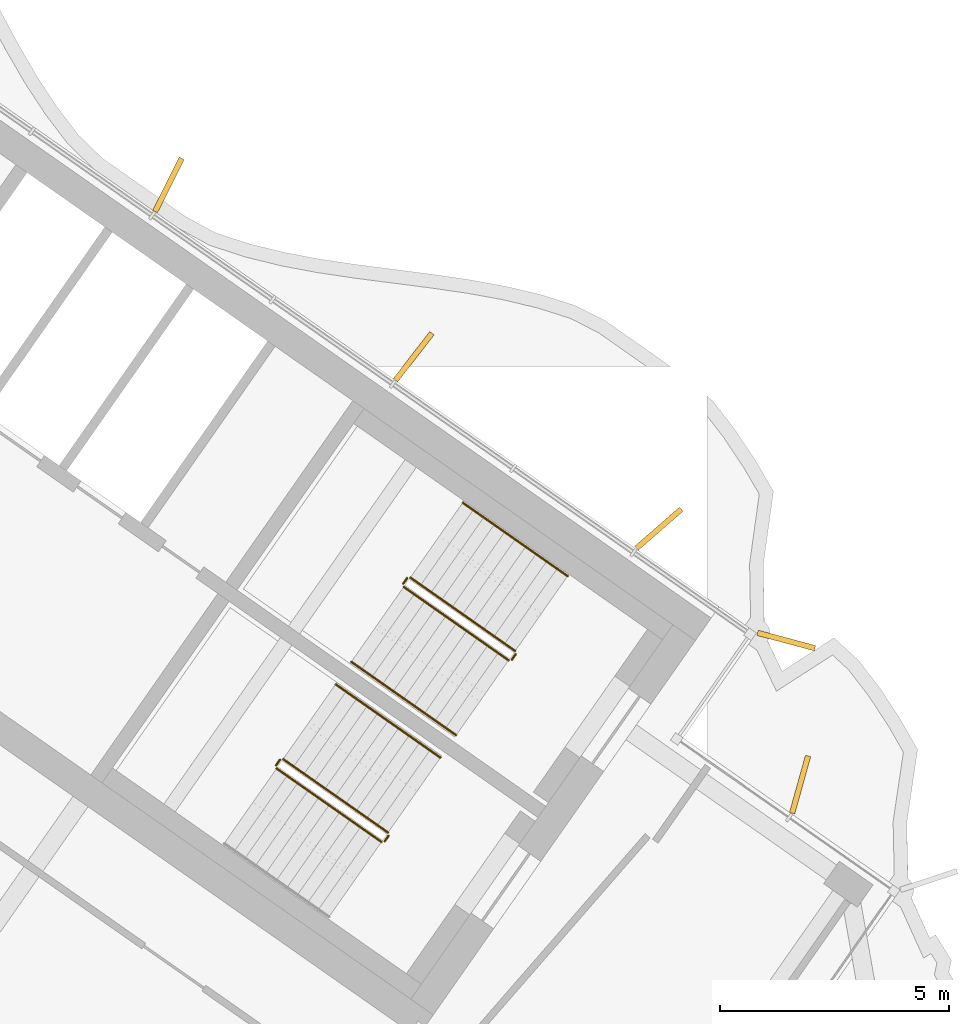
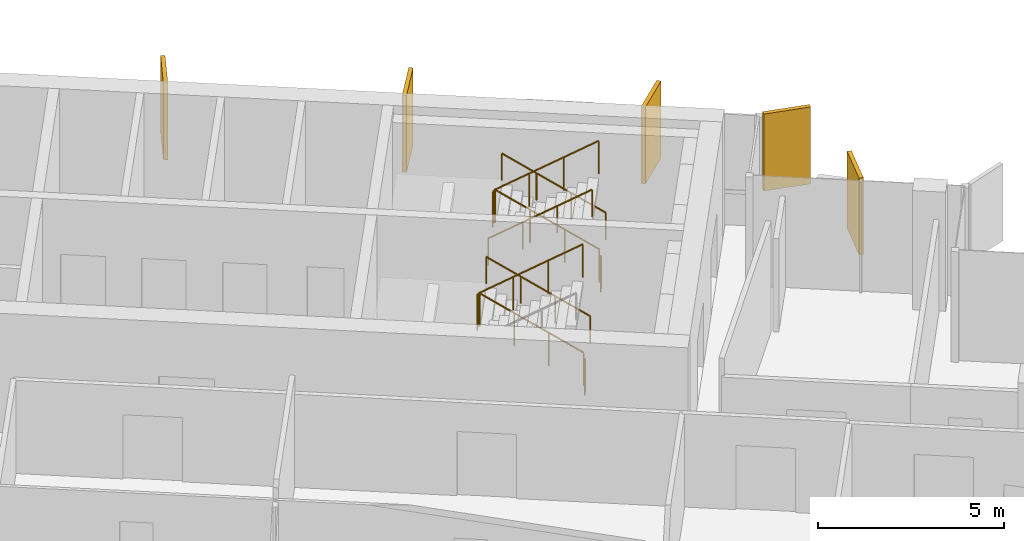
# One storey, part 19 of 20: 11 railings, 5 shading devices.
"""IFC4 building model written with IfcOpenShell, lengths in metres."""

from ifc_helpers import new_model, si_unit, direction, frame, origin, origin_2d, place, context, subcontext, project, spatial, rectangle, circle, extrude, material, layer, layer_set, type_object, element, save


model = new_model("IFC4")

# Units and contexts
model_context = context("Model", 3, precision=1e-05, world=origin(), true_north=direction((0.0, 1.0)))
body_context = subcontext(model_context, "Body", "Model", "MODEL_VIEW")
ifc_project = project(units=[si_unit("LENGTHUNIT", "METRE"), si_unit("AREAUNIT", "SQUARE_METRE"), si_unit("VOLUMEUNIT", "CUBIC_METRE"), si_unit("PLANEANGLEUNIT", "RADIAN"), si_unit("MASSUNIT", "GRAM", prefix="KILO")], contexts=[model_context])

# Site, building, storey
site_placement = place(None, origin())
site = spatial("IfcSite", under=ifc_project, at=site_placement, CompositionType="ELEMENT")
building_placement = place(site_placement, origin())
building = spatial("IfcBuilding", under=site, at=building_placement, Name="Tel Ilan Convention Tower", CompositionType="ELEMENT")
storey_placement = place(building_placement, frame((0.0, 0.0, 229.300048828125)))
storey = spatial("IfcBuildingStorey", under=building, at=storey_placement, Name="L53", CompositionType="ELEMENT", Elevation=229.300048828125)

# Shading devices
ifc_material_1 = material(Name="Aluminium, bronze anodised", Category="aluminium")
ifc_layer = layer(ifc_material_1, 0.1201171875)
ifc_layer_set = layer_set([ifc_layer], Name="FIN BRONZE 1300x120")
shading_device_type = type_object("IfcShadingDeviceType", Name="FIN BRONZE 1300x120", PredefinedType="USERDEFINED", material=ifc_layer_set)
for number, where, z_axis, x_axis, name in (
    (1, (29.611083984375, -7.623046875, 1.099853515625), (0.0, 0.0, 1.0), (0.965925826289, -0.258819045103, 0.0), "FIN"),
    (2, (26.823974609375, -5.177001953125, 1.099853515625), (0.0, 0.0, 1.0), (0.753435896329, 0.657521368568, 0.0), "FIN"),
    (3, (21.46044921875, -1.4130859375, 1.099853515625), (0.0, 0.0, 1.0), (0.612600545196, 0.790392669516, 0.0), "FIN"),
    (4, (16.092041015625, 2.345458984375, 1.099853515625), (0.0, 0.0, 1.0), (0.448799180206, 0.893632640321, 0.0), "FIN"),
    (5, (29.913818359375, -10.77392578125, 1.099853515625), (0.0, 0.0, 1.0), (0.268172612768, 0.963370878614, 0.0), "FIN"),
):
    element("IfcShadingDevice", number, at=place(storey_placement, frame(where, z_axis=z_axis, x_axis=x_axis)), inside=storey, type_object=shading_device_type, Name=name, ObjectType="FIN", PredefinedType="USERDEFINED", context=body_context, shape_type="SweptSolid", body=[
        extrude(rectangle(XDim=1.300048828125, YDim=0.1201171875, at=origin_2d()), origin(), (0.0, 0.0, 1.0), 2.52001953125),
    ])

# Railings
ifc_material_2 = material(Name="Stainless Steel Grade 316", Category="steel")
railing_type_1 = type_object("IfcRailingType", Name="Stainless Steel Stair Guard 1100 mm", PredefinedType="GUARDRAIL", material=ifc_material_2)
railing_1_placement = place(storey_placement, frame((23.6787109375, -7.8515625, 0.17724609375)))
element("IfcRailing", 6, at=railing_1_placement, inside=storey, type_object=railing_type_1, Name="L53 S3 stair guard 1", PredefinedType="GUARDRAIL", context=body_context, shape_type="SweptSolid", body=[
    extrude(circle(Radius=0.02392578125, at=origin_2d()), frame((0.0, 0.0, 1.076171875), z_axis=(-0.692084706163, 0.484621375041, 0.534940073605), x_axis=(-0.573591086599, -0.819141785879, 0.0)), (0.0, 0.0, 1.0), 3.313720703125),
    extrude(circle(Radius=0.02099609375, at=origin_2d()), origin(), (0.0, 0.0, 1.0), 1.052001953125),
    extrude(circle(Radius=0.02099609375, at=origin_2d()), frame((-0.764404296875, 0.535400390625, 0.5908203125)), (0.0, 0.0, 1.0), 1.052001953125),
    extrude(circle(Radius=0.02099609375, at=origin_2d()), frame((-1.529052734375, 1.070556640625, 1.181884765625)), (0.0, 0.0, 1.0), 1.052001953125),
    extrude(circle(Radius=0.02099609375, at=origin_2d()), frame((-2.29345703125, 1.60595703125, 1.772705078125)), (0.0, 0.0, 1.0), 1.052001953125),
])
railing_2_placement = place(storey_placement, frame((21.3154296875, -6.2578125, 1.949951171875)))
element("IfcRailing", 7, at=railing_2_placement, inside=storey, type_object=railing_type_1, Name="L53 S3 stair guard 2", PredefinedType="GUARDRAIL", context=body_context, shape_type="SweptSolid", body=[
    extrude(circle(Radius=0.02392578125, at=origin_2d()), frame((0.0, 0.0, 1.076171875), z_axis=(-0.573353020881, -0.819308436089, 0.0), x_axis=(0.819308436089, -0.573353020881, 0.0)), (0.0, 0.0, 1.0), 0.14990234375),
    extrude(circle(Radius=0.02099609375, at=origin_2d()), origin(), (0.0, 0.0, 1.0), 1.052001953125),
    extrude(circle(Radius=0.02099609375, at=origin_2d()), frame((-0.0859375, -0.122802734375, 0.0)), (0.0, 0.0, 1.0), 1.052001953125),
])
railing_3_placement = place(storey_placement, frame((21.24169921875, -6.4501953125, 2.127197265625)))
element("IfcRailing", 8, at=railing_3_placement, inside=storey, type_object=railing_type_1, Name="L53 S3 stair guard 3", PredefinedType="GUARDRAIL", context=body_context, shape_type="SweptSolid", body=[
    extrude(circle(Radius=0.02392578125, at=origin_2d()), frame((0.0, 0.0, 1.076171875), z_axis=(0.692098378994, -0.484653031975, 0.534893701956), x_axis=(0.573608623498, 0.819129505664, 0.0)), (0.0, 0.0, 1.0), 3.314208984375),
    extrude(circle(Radius=0.02099609375, at=origin_2d()), origin(), (0.0, 0.0, 1.0), 1.052001953125),
    extrude(circle(Radius=0.02099609375, at=origin_2d()), frame((0.7646484375, -0.535400390625, 0.5908203125)), (0.0, 0.0, 1.0), 1.052001953125),
    extrude(circle(Radius=0.02099609375, at=origin_2d()), frame((1.529052734375, -1.07080078125, 1.181884765625)), (0.0, 0.0, 1.0), 1.052001953125),
    extrude(circle(Radius=0.02099609375, at=origin_2d()), frame((2.293701171875, -1.606201171875, 1.772705078125)), (0.0, 0.0, 1.0), 1.052001953125),
])
railing_4_placement = place(storey_placement, frame((23.691162109375, -7.921142578125, 0.0)))
element("IfcRailing", 9, at=railing_4_placement, inside=storey, type_object=railing_type_1, Name="L53 S3 stair guard 4", PredefinedType="GUARDRAIL", context=body_context, shape_type="SweptSolid", body=[
    extrude(circle(Radius=0.02392578125, at=origin_2d()), frame((0.0, 0.0, 1.076171875), z_axis=(-0.574444878118, -0.818543268254, 0.0), x_axis=(0.818543268254, -0.574444878118, 0.0)), (0.0, 0.0, 1.0), 0.150146484375),
    extrude(circle(Radius=0.02099609375, at=origin_2d()), origin(), (0.0, 0.0, 1.0), 1.052001953125),
    extrude(circle(Radius=0.02099609375, at=origin_2d()), frame((-0.086181640625, -0.122802734375, 0.0)), (0.0, 0.0, 1.0), 1.052001953125),
])
railing_5_placement = place(storey_placement, frame((20.89697265625, -11.824462890625, 0.17724609375)))
element("IfcRailing", 10, at=railing_5_placement, inside=storey, type_object=railing_type_1, Name="L53 S4 stair guard 1", PredefinedType="GUARDRAIL", context=body_context, shape_type="SweptSolid", body=[
    extrude(circle(Radius=0.02392578125, at=origin_2d()), frame((0.0, 0.0, 1.076171875), z_axis=(-0.692123088272, 0.484596665743, 0.534912798717), x_axis=(-0.573550118428, -0.819170471667, 0.0)), (0.0, 0.0, 1.0), 3.31396484375),
    extrude(circle(Radius=0.02099609375, at=origin_2d()), origin(), (0.0, 0.0, 1.0), 1.052001953125),
    extrude(circle(Radius=0.02099609375, at=origin_2d()), frame((-0.7646484375, 0.535400390625, 0.5908203125)), (0.0, 0.0, 1.0), 1.052001953125),
    extrude(circle(Radius=0.02099609375, at=origin_2d()), frame((-1.529052734375, 1.070556640625, 1.181884765625)), (0.0, 0.0, 1.0), 1.052001953125),
    extrude(circle(Radius=0.02099609375, at=origin_2d()), frame((-2.293701171875, 1.60595703125, 1.772705078125)), (0.0, 0.0, 1.0), 1.052001953125),
])
railing_6_placement = place(storey_placement, frame((18.53369140625, -10.230712890625, 1.949951171875)))
element("IfcRailing", 11, at=railing_6_placement, inside=storey, type_object=railing_type_1, Name="L53 S4 stair guard 2", PredefinedType="GUARDRAIL", context=body_context, shape_type="SweptSolid", body=[
    extrude(circle(Radius=0.02392578125, at=origin_2d()), frame((0.0, 0.0, 1.076171875), z_axis=(-0.573353020881, -0.819308436089, 0.0), x_axis=(0.819308436089, -0.573353020881, 0.0)), (0.0, 0.0, 1.0), 0.14990234375),
    extrude(circle(Radius=0.02099609375, at=origin_2d()), origin(), (0.0, 0.0, 1.0), 1.052001953125),
    extrude(circle(Radius=0.02099609375, at=origin_2d()), frame((-0.0859375, -0.122802734375, 0.0)), (0.0, 0.0, 1.0), 1.052001953125),
])
railing_7_placement = place(storey_placement, frame((18.4599609375, -10.423095703125, 2.127197265625)))
element("IfcRailing", 12, at=railing_7_placement, inside=storey, type_object=railing_type_1, Name="L53 S4 stair guard 3", PredefinedType="GUARDRAIL", context=body_context, shape_type="SweptSolid", body=[
    extrude(circle(Radius=0.02392578125, at=origin_2d()), frame((0.0, 0.0, 1.076171875), z_axis=(0.692098378994, -0.484653031975, 0.534893701956), x_axis=(0.573608623498, 0.819129505664, 0.0)), (0.0, 0.0, 1.0), 3.314208984375),
    extrude(circle(Radius=0.02099609375, at=origin_2d()), origin(), (0.0, 0.0, 1.0), 1.052001953125),
    extrude(circle(Radius=0.02099609375, at=origin_2d()), frame((0.7646484375, -0.535400390625, 0.5908203125)), (0.0, 0.0, 1.0), 1.052001953125),
    extrude(circle(Radius=0.02099609375, at=origin_2d()), frame((1.529052734375, -1.07080078125, 1.181884765625)), (0.0, 0.0, 1.0), 1.052001953125),
    extrude(circle(Radius=0.02099609375, at=origin_2d()), frame((2.293701171875, -1.606201171875, 1.772705078125)), (0.0, 0.0, 1.0), 1.052001953125),
])
railing_8_placement = place(storey_placement, frame((20.9091796875, -11.89404296875, 0.0)))
element("IfcRailing", 13, at=railing_8_placement, inside=storey, type_object=railing_type_1, Name="L53 S4 stair guard 4", PredefinedType="GUARDRAIL", context=body_context, shape_type="SweptSolid", body=[
    extrude(circle(Radius=0.02392578125, at=origin_2d()), frame((0.0, 0.0, 1.076171875), z_axis=(-0.573353020881, -0.819308436089, 0.0), x_axis=(0.819308436089, -0.573353020881, 0.0)), (0.0, 0.0, 1.0), 0.14990234375),
    extrude(circle(Radius=0.02099609375, at=origin_2d()), origin(), (0.0, 0.0, 1.0), 1.052001953125),
    extrude(circle(Radius=0.02099609375, at=origin_2d()), frame((-0.0859375, -0.122802734375, 0.0)), (0.0, 0.0, 1.0), 1.052001953125),
])
ifc_material_3 = material(Name="Stainless Steel Grade 316", Category="steel")
railing_type_2 = type_object("IfcRailingType", Name="Stainless Steel Stair Handrail 900 mm", PredefinedType="HANDRAIL", material=ifc_material_3)
railing_9_placement = place(storey_placement, frame((24.825927734375, -6.213134765625, 0.17724609375)))
element("IfcRailing", 14, at=railing_9_placement, inside=storey, type_object=railing_type_2, Name="L53 S3 stair handrail 1", PredefinedType="HANDRAIL", context=body_context, shape_type="SweptSolid", body=[
    extrude(circle(Radius=0.02392578125, at=origin_2d()), frame((0.0, 0.0, 0.8759765625), z_axis=(-0.692123088272, 0.484596665743, 0.534912798717), x_axis=(-0.573550118428, -0.819170471667, 0.0)), (0.0, 0.0, 1.0), 3.31396484375),
    extrude(circle(Radius=0.02099609375, at=origin_2d()), origin(), (0.0, 0.0, 1.0), 0.851806640625),
    extrude(circle(Radius=0.02099609375, at=origin_2d()), frame((-0.7646484375, 0.535400390625, 0.5908203125)), (0.0, 0.0, 1.0), 0.851806640625),
    extrude(circle(Radius=0.02099609375, at=origin_2d()), frame((-1.529052734375, 1.070556640625, 1.181884765625)), (0.0, 0.0, 1.0), 0.851806640625),
    extrude(circle(Radius=0.02099609375, at=origin_2d()), frame((-2.293701171875, 1.60595703125, 1.772705078125)), (0.0, 0.0, 1.0), 0.851806640625),
])
railing_10_placement = place(storey_placement, frame((20.0947265625, -8.088623046875, 2.127197265625)))
element("IfcRailing", 15, at=railing_10_placement, inside=storey, type_object=railing_type_2, Name="L53 S3 stair handrail 2", PredefinedType="HANDRAIL", context=body_context, shape_type="SweptSolid", body=[
    extrude(circle(Radius=0.02392578125, at=origin_2d()), frame((0.0, 0.0, 0.8759765625), z_axis=(0.692084706163, -0.484621375041, 0.534940073605), x_axis=(0.573591086599, 0.819141785879, 0.0)), (0.0, 0.0, 1.0), 3.313720703125),
    extrude(circle(Radius=0.02099609375, at=origin_2d()), origin(), (0.0, 0.0, 1.0), 0.851806640625),
    extrude(circle(Radius=0.02099609375, at=origin_2d()), frame((0.764404296875, -0.535400390625, 0.5908203125)), (0.0, 0.0, 1.0), 0.851806640625),
    extrude(circle(Radius=0.02099609375, at=origin_2d()), frame((1.529052734375, -1.070556640625, 1.181884765625)), (0.0, 0.0, 1.0), 0.851806640625),
    extrude(circle(Radius=0.02099609375, at=origin_2d()), frame((2.29345703125, -1.60595703125, 1.772705078125)), (0.0, 0.0, 1.0), 0.851806640625),
])
railing_11_placement = place(storey_placement, frame((22.044189453125, -10.18603515625, 0.17724609375)))
element("IfcRailing", 16, at=railing_11_placement, inside=storey, type_object=railing_type_2, Name="L53 S4 stair handrail 1", PredefinedType="HANDRAIL", context=body_context, shape_type="SweptSolid", body=[
    extrude(circle(Radius=0.02392578125, at=origin_2d()), frame((0.0, 0.0, 0.8759765625), z_axis=(-0.692123088272, 0.484596665743, 0.534912798717), x_axis=(-0.573550118428, -0.819170471667, 0.0)), (0.0, 0.0, 1.0), 3.31396484375),
    extrude(circle(Radius=0.02099609375, at=origin_2d()), origin(), (0.0, 0.0, 1.0), 0.851806640625),
    extrude(circle(Radius=0.02099609375, at=origin_2d()), frame((-0.7646484375, 0.535400390625, 0.5908203125)), (0.0, 0.0, 1.0), 0.851806640625),
    extrude(circle(Radius=0.02099609375, at=origin_2d()), frame((-1.529052734375, 1.070556640625, 1.181884765625)), (0.0, 0.0, 1.0), 0.851806640625),
    extrude(circle(Radius=0.02099609375, at=origin_2d()), frame((-2.293701171875, 1.60595703125, 1.772705078125)), (0.0, 0.0, 1.0), 0.851806640625),
])

save(model, "model.ifc")
